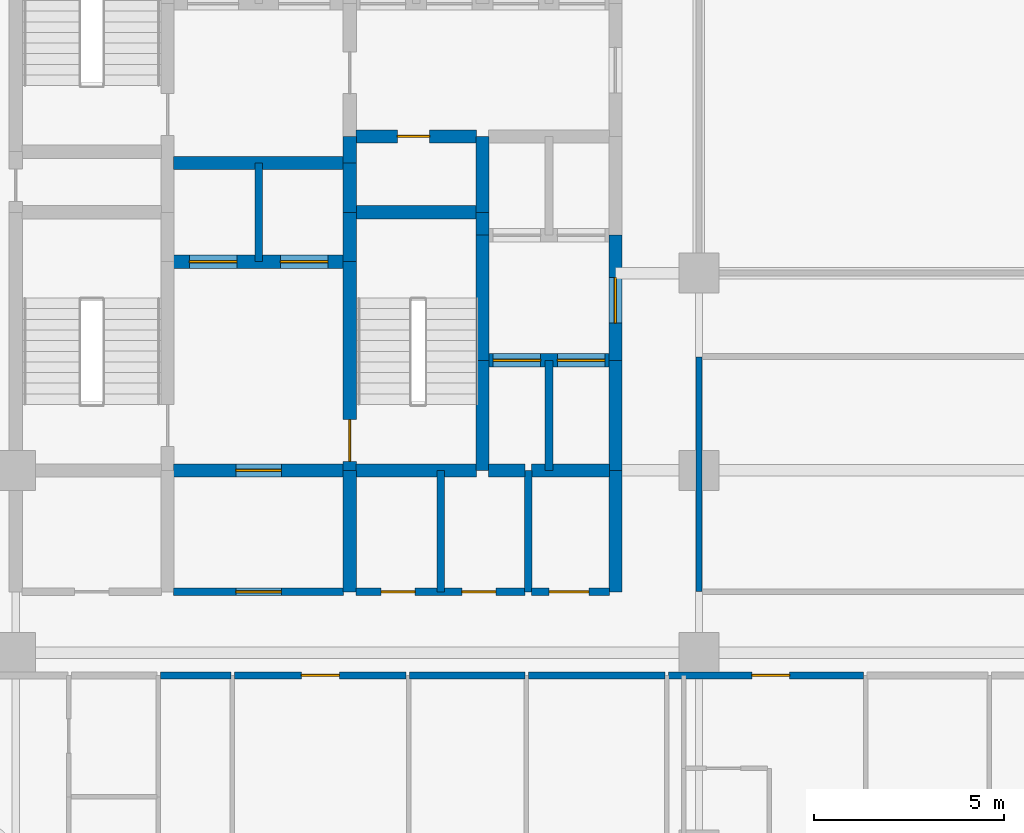
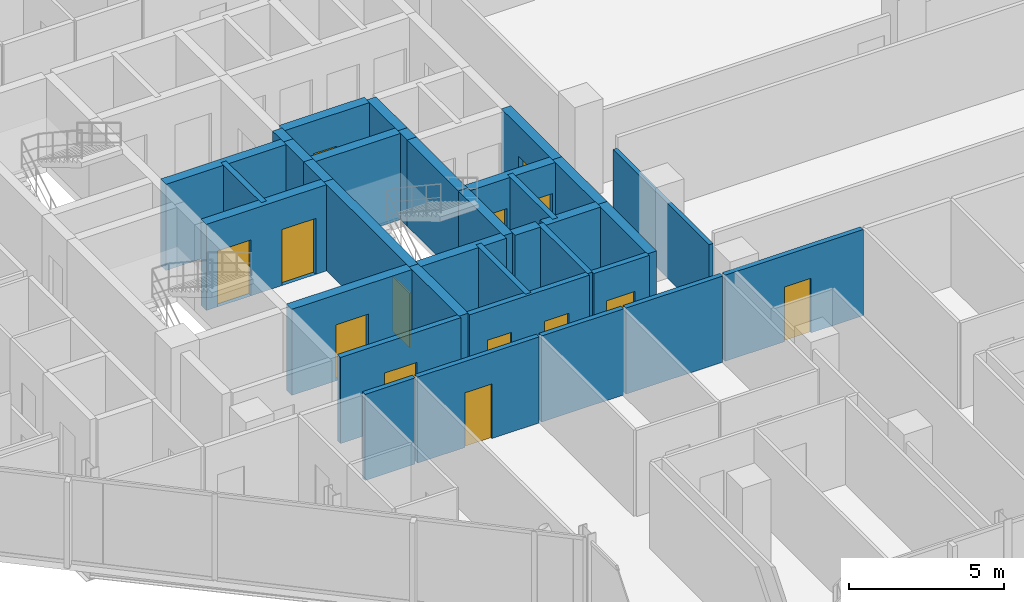
# One storey, part 24 of 29: 34 walls, 14 doors, 14 openings.
"""IFC4 building model written with IfcOpenShell, lengths in metres."""

from ifc_helpers import new_model, si_unit, direction, frame, frame_2d, origin, place, context, subcontext, project, spatial, rectangle, extrude, material, layer, layer_set, type_object, element, fill, save


model = new_model("IFC4")

# Units and contexts
model_context = context("Model", 3, precision=1e-05, world=origin(), true_north=direction((0.0, 1.0)))
body_context = subcontext(model_context, "Body", "Model", "MODEL_VIEW")
ifc_project = project(units=[si_unit("LENGTHUNIT", "METRE"), si_unit("AREAUNIT", "SQUARE_METRE"), si_unit("VOLUMEUNIT", "CUBIC_METRE"), si_unit("PLANEANGLEUNIT", "RADIAN"), si_unit("MASSUNIT", "GRAM", prefix="KILO")], contexts=[model_context])

# Site, building, storey
site_placement = place(None, origin())
site = spatial("IfcSite", under=ifc_project, at=site_placement, CompositionType="ELEMENT")
building_placement = place(site_placement, origin())
building = spatial("IfcBuilding", under=site, at=building_placement, Name="Keshet Zoharim Tower", CompositionType="ELEMENT")
storey_placement = place(building_placement, frame((0.0, 0.0, 102.0)))
storey = spatial("IfcBuildingStorey", under=building, at=storey_placement, Name="L24", CompositionType="ELEMENT", Elevation=102.0)

# Walls
ifc_material_1 = material(Name="Gypsum Plasterboard", Category="gypsum")
ifc_layer_1 = layer(ifc_material_1, 0.14990234375)
ifc_layer_set_1 = layer_set([ifc_layer_1], Name="Gypsum Plasterboard")
wall_type_1 = type_object("IfcWallType", Name="WL-CLIN-150", PredefinedType="STANDARD", material=ifc_layer_set_1)
wall_1_placement = place(storey_placement, frame((33.0, 19.510009765625, 0.0), z_axis=(0.0, 0.0, 1.0), x_axis=(0.0, 1.0, 0.0)))
element("IfcWall", 1, at=wall_1_placement, inside=storey, type_object=wall_type_1, Name="L24 Interior Wall 075", PredefinedType="STANDARD", context=body_context, shape_type="SweptSolid", body=[
    extrude(rectangle(XDim=6.179931640625, YDim=0.14990234375, at=frame_2d((3.08984375, 0.0))), origin(), (0.0, 0.0, 1.0), 2.93505859375),
])
ifc_material_2 = material(Name="Concrete C60/75", Category="concrete")
ifc_layer_2 = layer(ifc_material_2, 0.35009765625)
ifc_layer_set_2 = layer_set([ifc_layer_2], Name="Concrete C60/75")
wall_type_2 = type_object("IfcWallType", Name="WL-CORE-350", PredefinedType="SHEAR", material=ifc_layer_set_2)
wall_2_placement = place(storey_placement, frame((23.800048828125, 19.5, 0.0), z_axis=(0.0, 0.0, 1.0), x_axis=(0.0, 1.0, 0.0)))
element("IfcWall", 2, at=wall_2_placement, inside=storey, type_object=wall_type_2, Name="L24 Core Shear Wall 035", PredefinedType="SHEAR", context=body_context, shape_type="SweptSolid", body=[
    extrude(rectangle(XDim=3.199951171875, YDim=0.35009765625, at=frame_2d((1.60009765625, 0.0))), origin(), (0.0, 0.0, 1.0), 3.385009765625),
])

# Wall, opening, door
wall_3_placement = place(storey_placement, frame((23.800048828125, 22.699951171875, 0.0), z_axis=(0.0, 0.0, 1.0), x_axis=(0.0, 1.0, 0.0)))
wall_3 = element("IfcWall", 3, at=wall_3_placement, inside=storey, type_object=wall_type_2, Name="L24 Core Shear Wall 036", PredefinedType="SHEAR", context=body_context, shape_type="SweptSolid", body=[
    extrude(rectangle(XDim=5.5, YDim=0.35009765625, at=frame_2d((2.75, 0.0))), origin(), (0.0, 0.0, 1.0), 3.385009765625),
])
opening_1_placement = place(wall_3_placement, frame((0.235107421875, 0.0, 0.0)))
opening_1 = element("IfcOpeningElement", 4, at=opening_1_placement, cuts=wall_3, Name="Opening D-F611", PredefinedType="OPENING", context=body_context, shape_type="SweptSolid", body=[
    extrude(rectangle(XDim=1.10009765625, YDim=2.14990234375, at=frame_2d((0.550048828125, 1.074951171875))), frame((0.0, 0.18505859375, 0.0), z_axis=(0.0, -1.0, 0.0), x_axis=(1.0, 0.0, 0.0)), (0.0, 0.0, 1.0), 0.3701171875),
])
ifc_material_3 = material(Name="Hardwood Timber", Category="wood")
door_type_1 = type_object("IfcDoorType", Name="DR-FD60-110", OperationType="NOTDEFINED", PredefinedType="DOOR", material=ifc_material_3)
door_1_placement = place(opening_1_placement, frame((1.10009765625, 0.0, 0.0), z_axis=(0.0, 0.0, 1.0), x_axis=(-1.0, 0.0, 0.0)))
door_1 = element("IfcDoor", 5, at=door_1_placement, inside=storey, type_object=door_type_1, Name="L24 Exit Stair ST-03 Fire Door", OperationType="SINGLE_SWING_RIGHT", OverallHeight=2.14990234375, OverallWidth=1.10009765625, PredefinedType="DOOR", context=body_context, shape_type="SweptSolid", body=[
    extrude(rectangle(XDim=1.10009765625, YDim=2.14990234375, at=frame_2d((0.550048828125, 1.074951171875))), frame((0.0, 0.02490234375, 0.0), z_axis=(0.0, -1.0, 0.0), x_axis=(1.0, 0.0, 0.0)), (0.0, 0.0, 1.0), 0.050048828125),
])
fill(opening_1, door_1)

# Walls
for number, where, z_axis, x_axis, name in (
    (6, (23.800048828125, 28.199951171875, 0.0), (0.0, 0.0, 1.0), (0.0, 1.0, 0.0), "L24 Core Shear Wall 037"),
    (7, (23.800048828125, 29.5, 0.0), (0.0, 0.0, 1.0), (0.0, 1.0, 0.0), "L24 Core Shear Wall 038"),
):
    element("IfcWall", number, at=place(storey_placement, frame(where, z_axis=z_axis, x_axis=x_axis)), inside=storey, type_object=wall_type_2, Name=name, PredefinedType="SHEAR", context=body_context, shape_type="SweptSolid", body=[
        extrude(rectangle(XDim=1.300048828125, YDim=0.35009765625, at=frame_2d((0.64990234375, 0.0))), origin(), (0.0, 0.0, 1.0), 3.385009765625),
    ])
wall_4_placement = place(storey_placement, frame((23.800048828125, 30.800048828125, 0.0), z_axis=(0.0, 0.0, 1.0), x_axis=(0.0, 1.0, 0.0)))
element("IfcWall", 8, at=wall_4_placement, inside=storey, type_object=wall_type_2, Name="L24 Core Shear Wall 039", PredefinedType="SHEAR", context=body_context, shape_type="SweptSolid", body=[
    extrude(rectangle(XDim=0.699951171875, YDim=0.35009765625, at=frame_2d((0.35009765625, 0.0))), origin(), (0.0, 0.0, 1.0), 3.385009765625),
])
wall_5_placement = place(storey_placement, frame((27.300048828125, 22.699951171875, 0.0), z_axis=(0.0, 0.0, 1.0), x_axis=(0.0, 1.0, 0.0)))
element("IfcWall", 9, at=wall_5_placement, inside=storey, type_object=wall_type_2, Name="L24 Core Shear Wall 048", PredefinedType="SHEAR", context=body_context, shape_type="SweptSolid", body=[
    extrude(rectangle(XDim=2.900146484375, YDim=0.35009765625, at=frame_2d((1.4501953125, 0.0))), origin(), (0.0, 0.0, 1.0), 3.385009765625),
])
wall_6_placement = place(storey_placement, frame((27.300048828125, 25.60009765625, 0.0), z_axis=(0.0, 0.0, 1.0), x_axis=(0.0, 1.0, 0.0)))
element("IfcWall", 10, at=wall_6_placement, inside=storey, type_object=wall_type_2, Name="L24 Core Shear Wall 049", PredefinedType="SHEAR", context=body_context, shape_type="SweptSolid", body=[
    extrude(rectangle(XDim=3.2998046875, YDim=0.35009765625, at=frame_2d((1.64990234375, 0.0))), origin(), (0.0, 0.0, 1.0), 3.385009765625),
])
wall_7_placement = place(storey_placement, frame((27.300048828125, 28.89990234375, 0.0), z_axis=(0.0, 0.0, 1.0), x_axis=(0.0, 1.0, 0.0)))
element("IfcWall", 11, at=wall_7_placement, inside=storey, type_object=wall_type_2, Name="L24 Core Shear Wall 050", PredefinedType="SHEAR", context=body_context, shape_type="SweptSolid", body=[
    extrude(rectangle(XDim=0.60009765625, YDim=0.35009765625, at=frame_2d((0.300048828125, 0.0))), origin(), (0.0, 0.0, 1.0), 3.385009765625),
])
wall_8_placement = place(storey_placement, frame((27.300048828125, 29.5, 0.0), z_axis=(0.0, 0.0, 1.0), x_axis=(0.0, 1.0, 0.0)))
element("IfcWall", 12, at=wall_8_placement, inside=storey, type_object=wall_type_2, Name="L24 Core Shear Wall 051", PredefinedType="SHEAR", context=body_context, shape_type="SweptSolid", body=[
    extrude(rectangle(XDim=2.0, YDim=0.35009765625, at=frame_2d((1.0, 0.0))), origin(), (0.0, 0.0, 1.0), 3.385009765625),
])
wall_9_placement = place(storey_placement, frame((30.800048828125, 19.5, 0.0), z_axis=(0.0, 0.0, 1.0), x_axis=(0.0, 1.0, 0.0)))
element("IfcWall", 13, at=wall_9_placement, inside=storey, type_object=wall_type_2, Name="L24 Core Shear Wall 062", PredefinedType="SHEAR", context=body_context, shape_type="SweptSolid", body=[
    extrude(rectangle(XDim=3.199951171875, YDim=0.35009765625, at=frame_2d((1.60009765625, 0.0))), origin(), (0.0, 0.0, 1.0), 3.385009765625),
])
wall_10_placement = place(storey_placement, frame((30.800048828125, 22.699951171875, 0.0), z_axis=(0.0, 0.0, 1.0), x_axis=(0.0, 1.0, 0.0)))
element("IfcWall", 14, at=wall_10_placement, inside=storey, type_object=wall_type_2, Name="L24 Core Shear Wall 063", PredefinedType="SHEAR", context=body_context, shape_type="SweptSolid", body=[
    extrude(rectangle(XDim=2.900146484375, YDim=0.35009765625, at=frame_2d((1.4501953125, 0.0))), origin(), (0.0, 0.0, 1.0), 3.385009765625),
])

# Wall, opening, door
wall_11_placement = place(storey_placement, frame((30.800048828125, 25.60009765625, 0.0), z_axis=(0.0, 0.0, 1.0), x_axis=(0.0, 1.0, 0.0)))
wall_11 = element("IfcWall", 15, at=wall_11_placement, inside=storey, type_object=wall_type_2, Name="L24 Core Shear Wall 064", PredefinedType="SHEAR", context=body_context, shape_type="SweptSolid", body=[
    extrude(rectangle(XDim=3.2998046875, YDim=0.35009765625, at=frame_2d((1.64990234375, 0.0))), origin(), (0.0, 0.0, 1.0), 3.385009765625),
])
opening_2_placement = place(wall_11_placement, frame((0.97802734375, 0.0, 0.0)))
opening_2 = element("IfcOpeningElement", 16, at=opening_2_placement, cuts=wall_11, Name="Opening D-F612", PredefinedType="OPENING", context=body_context, shape_type="SweptSolid", body=[
    extrude(rectangle(XDim=1.199951171875, YDim=2.199951171875, at=frame_2d((0.60009765625, 1.10009765625))), frame((0.0, 0.18505859375, 0.0), z_axis=(0.0, -1.0, 0.0), x_axis=(1.0, 0.0, 0.0)), (0.0, 0.0, 1.0), 0.3701171875),
])
door_type_2 = type_object("IfcDoorType", Name="DR-FD60-120", OperationType="NOTDEFINED", PredefinedType="DOOR", material=ifc_material_3)
door_2_placement = place(opening_2_placement, origin())
door_2 = element("IfcDoor", 17, at=door_2_placement, inside=storey, type_object=door_type_2, Name="L24 East Lift Lobby Fire Door", OperationType="SINGLE_SWING_RIGHT", OverallHeight=2.199951171875, OverallWidth=1.199951171875, PredefinedType="DOOR", context=body_context, shape_type="SweptSolid", body=[
    extrude(rectangle(XDim=1.199951171875, YDim=2.199951171875, at=frame_2d((0.60009765625, 1.10009765625))), frame((0.0, 0.02490234375, 0.0), z_axis=(0.0, -1.0, 0.0), x_axis=(1.0, 0.0, 0.0)), (0.0, 0.0, 1.0), 0.050048828125),
])
fill(opening_2, door_2)

wall_12_placement = place(storey_placement, frame((19.159912109375, 22.699951171875, 0.0), z_axis=(0.0, 0.0, 1.0), x_axis=(1.0, 0.0, 0.0)))
wall_12 = element("IfcWall", 18, at=wall_12_placement, inside=storey, type_object=wall_type_2, Name="L24 Core Shear Wall 158", PredefinedType="SHEAR", context=body_context, shape_type="SweptSolid", body=[
    extrude(rectangle(XDim=4.47998046875, YDim=0.35009765625, at=frame_2d((2.239990234375, 0.0))), origin(), (0.0, 0.0, 1.0), 3.385009765625),
])
opening_3_placement = place(wall_12_placement, frame((1.639892578125, 0.0, 0.0)))
opening_3 = element("IfcOpeningElement", 19, at=opening_3_placement, cuts=wall_12, Name="Opening D-F612", PredefinedType="OPENING", context=body_context, shape_type="SweptSolid", body=[
    extrude(rectangle(XDim=1.199951171875, YDim=2.199951171875, at=frame_2d((0.60009765625, 1.10009765625))), frame((0.0, 0.18505859375, 0.0), z_axis=(0.0, -1.0, 0.0), x_axis=(1.0, 0.0, 0.0)), (0.0, 0.0, 1.0), 0.3701171875),
])
door_3_placement = place(opening_3_placement, origin())
door_3 = element("IfcDoor", 20, at=door_3_placement, inside=storey, type_object=door_type_2, Name="L24 South Core Lobby Fire Door", OperationType="SINGLE_SWING_LEFT", OverallHeight=2.199951171875, OverallWidth=1.199951171875, PredefinedType="DOOR", context=body_context, shape_type="SweptSolid", body=[
    extrude(rectangle(XDim=1.199951171875, YDim=2.199951171875, at=frame_2d((0.60009765625, 1.10009765625))), frame((0.0, 0.02490234375, 0.0), z_axis=(0.0, -1.0, 0.0), x_axis=(1.0, 0.0, 0.0)), (0.0, 0.0, 1.0), 0.050048828125),
])
fill(opening_3, door_3)

# Walls
wall_13_placement = place(storey_placement, frame((23.9599609375, 22.699951171875, 0.0), z_axis=(0.0, 0.0, 1.0), x_axis=(1.0, 0.0, 0.0)))
element("IfcWall", 21, at=wall_13_placement, inside=storey, type_object=wall_type_2, Name="L24 Core Shear Wall 159", PredefinedType="SHEAR", context=body_context, shape_type="SweptSolid", body=[
    extrude(rectangle(XDim=3.179931640625, YDim=0.35009765625, at=frame_2d((1.58984375, 0.0))), origin(), (0.0, 0.0, 1.0), 3.385009765625),
])
wall_14_placement = place(storey_placement, frame((27.4599609375, 22.699951171875, 0.0), z_axis=(0.0, 0.0, 1.0), x_axis=(1.0, 0.0, 0.0)))
element("IfcWall", 22, at=wall_14_placement, inside=storey, type_object=wall_type_2, Name="L24 Core Shear Wall 160", PredefinedType="SHEAR", context=body_context, shape_type="SweptSolid", body=[
    extrude(rectangle(XDim=0.955078125, YDim=0.35009765625, at=frame_2d((0.4775390625, 0.0))), origin(), (0.0, 0.0, 1.0), 3.385009765625),
])
wall_15_placement = place(storey_placement, frame((28.5849609375, 22.699951171875, 0.0), z_axis=(0.0, 0.0, 1.0), x_axis=(1.0, 0.0, 0.0)))
element("IfcWall", 23, at=wall_15_placement, inside=storey, type_object=wall_type_2, Name="L24 Core Shear Wall 161", PredefinedType="SHEAR", context=body_context, shape_type="SweptSolid", body=[
    extrude(rectangle(XDim=2.054931640625, YDim=0.35009765625, at=frame_2d((1.02734375, 0.0))), origin(), (0.0, 0.0, 1.0), 3.385009765625),
])

# Wall, openings, doors
wall_16_placement = place(storey_placement, frame((27.4599609375, 25.60009765625, 0.0), z_axis=(0.0, 0.0, 1.0), x_axis=(1.0, 0.0, 0.0)))
wall_16 = element("IfcWall", 24, at=wall_16_placement, inside=storey, type_object=wall_type_2, Name="L24 Core Shear Wall 164", PredefinedType="SHEAR", context=body_context, shape_type="SweptSolid", body=[
    extrude(rectangle(XDim=3.179931640625, YDim=0.35009765625, at=frame_2d((1.58984375, 0.0))), origin(), (0.0, 0.0, 1.0), 3.385009765625),
])
opening_4_placement = place(wall_16_placement, frame((0.1201171875, 0.0, 0.0)))
opening_4 = element("IfcOpeningElement", 25, at=opening_4_placement, cuts=wall_16, Name="Opening LD-01", PredefinedType="OPENING", context=body_context, shape_type="SweptSolid", body=[
    extrude(rectangle(XDim=1.25, YDim=2.199951171875, at=frame_2d((0.625, 1.10009765625))), frame((0.0, 0.18505859375, 0.0), z_axis=(0.0, -1.0, 0.0), x_axis=(1.0, 0.0, 0.0)), (0.0, 0.0, 1.0), 0.3701171875),
])
opening_5_placement = place(wall_16_placement, frame((1.81005859375, 0.0, 0.0)))
opening_5 = element("IfcOpeningElement", 26, at=opening_5_placement, cuts=wall_16, Name="Opening LD-01", PredefinedType="OPENING", context=body_context, shape_type="SweptSolid", body=[
    extrude(rectangle(XDim=1.25, YDim=2.199951171875, at=frame_2d((0.625, 1.10009765625))), frame((0.0, 0.18505859375, 0.0), z_axis=(0.0, -1.0, 0.0), x_axis=(1.0, 0.0, 0.0)), (0.0, 0.0, 1.0), 0.3701171875),
])
ifc_material_4 = material(Name="Steel S355", Category="steel")
door_type_3 = type_object("IfcDoorType", Name="DR-LD01-125", OperationType="DOUBLE_DOOR_SLIDING", PredefinedType="DOOR", material=ifc_material_4)
door_4_placement = place(opening_4_placement, origin())
door_4 = element("IfcDoor", 27, at=door_4_placement, inside=storey, type_object=door_type_3, Name="L24 Passenger Lift Landing Door LF-07", OperationType="DOUBLE_DOOR_SLIDING", OverallHeight=2.199951171875, OverallWidth=1.25, PredefinedType="DOOR", context=body_context, shape_type="SweptSolid", body=[
    extrude(rectangle(XDim=1.25, YDim=2.199951171875, at=frame_2d((0.625, 1.10009765625))), frame((0.0, 0.02490234375, 0.0), z_axis=(0.0, -1.0, 0.0), x_axis=(1.0, 0.0, 0.0)), (0.0, 0.0, 1.0), 0.050048828125),
])
fill(opening_4, door_4)
door_5_placement = place(opening_5_placement, origin())
door_5 = element("IfcDoor", 28, at=door_5_placement, inside=storey, type_object=door_type_3, Name="L24 Passenger Lift Landing Door LF-08", OperationType="DOUBLE_DOOR_SLIDING", OverallHeight=2.199951171875, OverallWidth=1.25, PredefinedType="DOOR", context=body_context, shape_type="SweptSolid", body=[
    extrude(rectangle(XDim=1.25, YDim=2.199951171875, at=frame_2d((0.625, 1.10009765625))), frame((0.0, 0.02490234375, 0.0), z_axis=(0.0, -1.0, 0.0), x_axis=(1.0, 0.0, 0.0)), (0.0, 0.0, 1.0), 0.050048828125),
])
fill(opening_5, door_5)

wall_17_placement = place(storey_placement, frame((19.159912109375, 28.199951171875, 0.0), z_axis=(0.0, 0.0, 1.0), x_axis=(1.0, 0.0, 0.0)))
wall_17 = element("IfcWall", 29, at=wall_17_placement, inside=storey, type_object=wall_type_2, Name="L24 Core Shear Wall 169", PredefinedType="SHEAR", context=body_context, shape_type="SweptSolid", body=[
    extrude(rectangle(XDim=4.47998046875, YDim=0.35009765625, at=frame_2d((2.239990234375, 0.0))), origin(), (0.0, 0.0, 1.0), 3.385009765625),
])
opening_6_placement = place(wall_17_placement, frame((0.4150390625, 0.0, 0.0)))
opening_6 = element("IfcOpeningElement", 30, at=opening_6_placement, cuts=wall_17, Name="Opening LD-01", PredefinedType="OPENING", context=body_context, shape_type="SweptSolid", body=[
    extrude(rectangle(XDim=1.25, YDim=2.199951171875, at=frame_2d((0.625, 1.10009765625))), frame((0.0, 0.18505859375, 0.0), z_axis=(0.0, -1.0, 0.0), x_axis=(1.0, 0.0, 0.0)), (0.0, 0.0, 1.0), 0.3701171875),
])
opening_7_placement = place(wall_17_placement, frame((2.81494140625, 0.0, 0.0)))
opening_7 = element("IfcOpeningElement", 31, at=opening_7_placement, cuts=wall_17, Name="Opening LD-01", PredefinedType="OPENING", context=body_context, shape_type="SweptSolid", body=[
    extrude(rectangle(XDim=1.25, YDim=2.199951171875, at=frame_2d((0.625, 1.10009765625))), frame((0.0, 0.18505859375, 0.0), z_axis=(0.0, -1.0, 0.0), x_axis=(1.0, 0.0, 0.0)), (0.0, 0.0, 1.0), 0.3701171875),
])
door_6_placement = place(opening_6_placement, origin())
door_6 = element("IfcDoor", 32, at=door_6_placement, inside=storey, type_object=door_type_3, Name="L24 Passenger Lift Landing Door LF-09", OperationType="DOUBLE_DOOR_SLIDING", OverallHeight=2.199951171875, OverallWidth=1.25, PredefinedType="DOOR", context=body_context, shape_type="SweptSolid", body=[
    extrude(rectangle(XDim=1.25, YDim=2.199951171875, at=frame_2d((0.625, 1.10009765625))), frame((0.0, 0.02490234375, 0.0), z_axis=(0.0, -1.0, 0.0), x_axis=(1.0, 0.0, 0.0)), (0.0, 0.0, 1.0), 0.050048828125),
])
fill(opening_6, door_6)
door_7_placement = place(opening_7_placement, origin())
door_7 = element("IfcDoor", 33, at=door_7_placement, inside=storey, type_object=door_type_3, Name="L24 Passenger Lift Landing Door LF-10", OperationType="DOUBLE_DOOR_SLIDING", OverallHeight=2.199951171875, OverallWidth=1.25, PredefinedType="DOOR", context=body_context, shape_type="SweptSolid", body=[
    extrude(rectangle(XDim=1.25, YDim=2.199951171875, at=frame_2d((0.625, 1.10009765625))), frame((0.0, 0.02490234375, 0.0), z_axis=(0.0, -1.0, 0.0), x_axis=(1.0, 0.0, 0.0)), (0.0, 0.0, 1.0), 0.050048828125),
])
fill(opening_7, door_7)

# Walls
wall_18_placement = place(storey_placement, frame((23.9599609375, 29.5, 0.0), z_axis=(0.0, 0.0, 1.0), x_axis=(1.0, 0.0, 0.0)))
element("IfcWall", 34, at=wall_18_placement, inside=storey, type_object=wall_type_2, Name="L24 Core Shear Wall 176", PredefinedType="SHEAR", context=body_context, shape_type="SweptSolid", body=[
    extrude(rectangle(XDim=3.179931640625, YDim=0.35009765625, at=frame_2d((1.58984375, 0.0))), origin(), (0.0, 0.0, 1.0), 3.385009765625),
])
wall_19_placement = place(storey_placement, frame((19.159912109375, 30.800048828125, 0.0), z_axis=(0.0, 0.0, 1.0), x_axis=(1.0, 0.0, 0.0)))
element("IfcWall", 35, at=wall_19_placement, inside=storey, type_object=wall_type_2, Name="L24 Core Shear Wall 177", PredefinedType="SHEAR", context=body_context, shape_type="SweptSolid", body=[
    extrude(rectangle(XDim=4.47998046875, YDim=0.35009765625, at=frame_2d((2.239990234375, 0.0))), origin(), (0.0, 0.0, 1.0), 3.385009765625),
])

# Wall, opening, door
wall_20_placement = place(storey_placement, frame((23.9599609375, 31.5, 0.0), z_axis=(0.0, 0.0, 1.0), x_axis=(1.0, 0.0, 0.0)))
wall_20 = element("IfcWall", 36, at=wall_20_placement, inside=storey, type_object=wall_type_2, Name="L24 Core Shear Wall 181", PredefinedType="SHEAR", context=body_context, shape_type="SweptSolid", body=[
    extrude(rectangle(XDim=3.179931640625, YDim=0.35009765625, at=frame_2d((1.58984375, 0.0))), origin(), (0.0, 0.0, 1.0), 3.385009765625),
])
opening_8_placement = place(wall_20_placement, frame((1.093994140625, 0.0, 0.0)))
opening_8 = element("IfcOpeningElement", 37, at=opening_8_placement, cuts=wall_20, Name="Opening D-RS85", PredefinedType="OPENING", context=body_context, shape_type="SweptSolid", body=[
    extrude(rectangle(XDim=0.85009765625, YDim=2.10009765625, at=frame_2d((0.425048828125, 1.050048828125))), frame((0.0, 0.18505859375, 0.0), z_axis=(0.0, -1.0, 0.0), x_axis=(1.0, 0.0, 0.0)), (0.0, 0.0, 1.0), 0.3701171875),
])
door_type_4 = type_object("IfcDoorType", Name="DR-RIS-085", OperationType="NOTDEFINED", PredefinedType="DOOR", material=ifc_material_3)
door_8_placement = place(opening_8_placement, origin())
door_8 = element("IfcDoor", 38, at=door_8_placement, inside=storey, type_object=door_type_4, Name="L24 Telecom Riser Access Cupboard Door", OperationType="SINGLE_SWING_LEFT", OverallHeight=2.10009765625, OverallWidth=0.85009765625, PredefinedType="DOOR", context=body_context, shape_type="SweptSolid", body=[
    extrude(rectangle(XDim=0.85009765625, YDim=2.10009765625, at=frame_2d((0.425048828125, 1.050048828125))), frame((0.0, 0.02490234375, 0.0), z_axis=(0.0, -1.0, 0.0), x_axis=(1.0, 0.0, 0.0)), (0.0, 0.0, 1.0), 0.050048828125),
])
fill(opening_8, door_8)

# Wall
ifc_layer_3 = layer(ifc_material_1, 0.179931640625)
ifc_layer_set_3 = layer_set([ifc_layer_3], Name="Gypsum Plasterboard")
wall_type_3 = type_object("IfcWallType", Name="WL-CORR-180", PredefinedType="STANDARD", material=ifc_layer_set_3)
wall_21_placement = place(storey_placement, frame((18.81494140625, 17.300048828125, 0.0), z_axis=(0.0, 0.0, 1.0), x_axis=(1.0, 0.0, 0.0)))
element("IfcWall", 39, at=wall_21_placement, inside=storey, type_object=wall_type_3, Name="L24 Interior Wall 137", PredefinedType="STANDARD", context=body_context, shape_type="SweptSolid", body=[
    extrude(rectangle(XDim=1.860107421875, YDim=0.179931640625, at=frame_2d((0.93017578125, 0.0))), origin(), (0.0, 0.0, 1.0), 3.385009765625),
])

# Wall, opening, door
wall_22_placement = place(storey_placement, frame((20.764892578125, 17.300048828125, 0.0), z_axis=(0.0, 0.0, 1.0), x_axis=(1.0, 0.0, 0.0)))
wall_22 = element("IfcWall", 40, at=wall_22_placement, inside=storey, type_object=wall_type_3, Name="L24 Interior Wall 138", PredefinedType="STANDARD", context=body_context, shape_type="SweptSolid", body=[
    extrude(rectangle(XDim=4.52001953125, YDim=0.179931640625, at=frame_2d((2.260009765625, 0.0))), origin(), (0.0, 0.0, 1.0), 3.385009765625),
])
opening_9_placement = place(wall_22_placement, frame((1.760009765625, 0.0, 0.0)))
opening_9 = element("IfcOpeningElement", 41, at=opening_9_placement, cuts=wall_22, Name="Opening D-F310", PredefinedType="OPENING", context=body_context, shape_type="SweptSolid", body=[
    extrude(rectangle(XDim=1.0, YDim=2.14990234375, at=frame_2d((0.5, 1.074951171875))), frame((0.0, 0.10009765625, 0.0), z_axis=(0.0, -1.0, 0.0), x_axis=(1.0, 0.0, 0.0)), (0.0, 0.0, 1.0), 0.199951171875),
])
door_type_5 = type_object("IfcDoorType", Name="DR-FD30-100", OperationType="NOTDEFINED", PredefinedType="DOOR", material=ifc_material_3)
door_9_placement = place(opening_9_placement, origin())
door_9 = element("IfcDoor", 42, at=door_9_placement, inside=storey, type_object=door_type_5, Name="Apartment 2402 Entrance Door", OperationType="SINGLE_SWING_LEFT", OverallHeight=2.14990234375, OverallWidth=1.0, PredefinedType="DOOR", context=body_context, shape_type="SweptSolid", body=[
    extrude(rectangle(XDim=1.0, YDim=2.14990234375, at=frame_2d((0.5, 1.074951171875))), frame((0.0, 0.02490234375, 0.0), z_axis=(0.0, -1.0, 0.0), x_axis=(1.0, 0.0, 0.0)), (0.0, 0.0, 1.0), 0.050048828125),
])
fill(opening_9, door_9)

# Walls
wall_23_placement = place(storey_placement, frame((25.375, 17.300048828125, 0.0), z_axis=(0.0, 0.0, 1.0), x_axis=(1.0, 0.0, 0.0)))
element("IfcWall", 43, at=wall_23_placement, inside=storey, type_object=wall_type_3, Name="L24 Interior Wall 139", PredefinedType="STANDARD", context=body_context, shape_type="SweptSolid", body=[
    extrude(rectangle(XDim=3.047119140625, YDim=0.179931640625, at=frame_2d((1.5234375, 0.0))), origin(), (0.0, 0.0, 1.0), 3.385009765625),
])
wall_24_placement = place(storey_placement, frame((28.511962890625, 17.300048828125, 0.0), z_axis=(0.0, 0.0, 1.0), x_axis=(1.0, 0.0, 0.0)))
element("IfcWall", 44, at=wall_24_placement, inside=storey, type_object=wall_type_3, Name="L24 Interior Wall 140", PredefinedType="STANDARD", context=body_context, shape_type="SweptSolid", body=[
    extrude(rectangle(XDim=3.593017578125, YDim=0.179931640625, at=frame_2d((1.79638671875, 0.0))), origin(), (0.0, 0.0, 1.0), 3.385009765625),
])

# Wall, opening, door
wall_25_placement = place(storey_placement, frame((32.195068359375, 17.300048828125, 0.0), z_axis=(0.0, 0.0, 1.0), x_axis=(1.0, 0.0, 0.0)))
wall_25 = element("IfcWall", 45, at=wall_25_placement, inside=storey, type_object=wall_type_3, Name="L24 Interior Wall 141", PredefinedType="STANDARD", context=body_context, shape_type="SweptSolid", body=[
    extrude(rectangle(XDim=5.139892578125, YDim=0.179931640625, at=frame_2d((2.56982421875, 0.0))), origin(), (0.0, 0.0, 1.0), 3.385009765625),
])
opening_10_placement = place(wall_25_placement, frame((2.197998046875, 0.0, 0.0)))
opening_10 = element("IfcOpeningElement", 46, at=opening_10_placement, cuts=wall_25, Name="Opening D-F310", PredefinedType="OPENING", context=body_context, shape_type="SweptSolid", body=[
    extrude(rectangle(XDim=1.0, YDim=2.14990234375, at=frame_2d((0.5, 1.074951171875))), frame((0.0, 0.10009765625, 0.0), z_axis=(0.0, -1.0, 0.0), x_axis=(1.0, 0.0, 0.0)), (0.0, 0.0, 1.0), 0.199951171875),
])
door_10_placement = place(opening_10_placement, origin())
door_10 = element("IfcDoor", 47, at=door_10_placement, inside=storey, type_object=door_type_5, Name="Apartment 2403 Entrance Door", OperationType="SINGLE_SWING_RIGHT", OverallHeight=2.14990234375, OverallWidth=1.0, PredefinedType="DOOR", context=body_context, shape_type="SweptSolid", body=[
    extrude(rectangle(XDim=1.0, YDim=2.14990234375, at=frame_2d((0.5, 1.074951171875))), frame((0.0, 0.02490234375, 0.0), z_axis=(0.0, -1.0, 0.0), x_axis=(1.0, 0.0, 0.0)), (0.0, 0.0, 1.0), 0.050048828125),
])
fill(opening_10, door_10)

# Walls
ifc_material_5 = material(Name="Concrete C50/60", Category="concrete")
ifc_layer_4 = layer(ifc_material_5, 0.199951171875)
ifc_layer_set_4 = layer_set([ifc_layer_4], Name="Concrete C50/60")
wall_type_4 = type_object("IfcWallType", Name="WL-FIRE-200", PredefinedType="STANDARD", material=ifc_layer_set_4)
wall_26_placement = place(storey_placement, frame((21.39990234375, 28.199951171875, 0.0), z_axis=(0.0, 0.0, 1.0), x_axis=(0.0, 1.0, 0.0)))
element("IfcWall", 48, at=wall_26_placement, inside=storey, type_object=wall_type_4, Name="L24 Interior Wall 031", PredefinedType="STANDARD", context=body_context, shape_type="SweptSolid", body=[
    extrude(rectangle(XDim=2.60009765625, YDim=0.199951171875, at=frame_2d((1.300048828125, 0.0))), origin(), (0.0, 0.0, 1.0), 3.385009765625),
])
for number, where, z_axis, x_axis, name in (
    (49, (26.199951171875, 19.5, 0.0), (0.0, 0.0, 1.0), (0.0, 1.0, 0.0), "L24 Interior Wall 047"),
    (50, (28.5, 19.5, 0.0), (0.0, 0.0, 1.0), (0.0, 1.0, 0.0), "L24 Interior Wall 054"),
):
    element("IfcWall", number, at=place(storey_placement, frame(where, z_axis=z_axis, x_axis=x_axis)), inside=storey, type_object=wall_type_4, Name=name, PredefinedType="STANDARD", context=body_context, shape_type="SweptSolid", body=[
        extrude(rectangle(XDim=3.199951171875, YDim=0.199951171875, at=frame_2d((1.60009765625, 0.0))), origin(), (0.0, 0.0, 1.0), 3.385009765625),
    ])
wall_27_placement = place(storey_placement, frame((29.050048828125, 22.699951171875, 0.0), z_axis=(0.0, 0.0, 1.0), x_axis=(0.0, 1.0, 0.0)))
element("IfcWall", 51, at=wall_27_placement, inside=storey, type_object=wall_type_4, Name="L24 Interior Wall 059", PredefinedType="STANDARD", context=body_context, shape_type="SweptSolid", body=[
    extrude(rectangle(XDim=2.900146484375, YDim=0.199951171875, at=frame_2d((1.4501953125, 0.0))), origin(), (0.0, 0.0, 1.0), 3.385009765625),
])

# Wall, opening, door
wall_28_placement = place(storey_placement, frame((19.159912109375, 19.5, 0.0), z_axis=(0.0, 0.0, 1.0), x_axis=(1.0, 0.0, 0.0)))
wall_28 = element("IfcWall", 52, at=wall_28_placement, inside=storey, type_object=wall_type_4, Name="L24 Interior Wall 150", PredefinedType="STANDARD", context=body_context, shape_type="SweptSolid", body=[
    extrude(rectangle(XDim=4.47998046875, YDim=0.199951171875, at=frame_2d((2.239990234375, 0.0))), origin(), (0.0, 0.0, 1.0), 3.385009765625),
])
opening_11_placement = place(wall_28_placement, frame((1.639892578125, 0.0, 0.0)))
opening_11 = element("IfcOpeningElement", 53, at=opening_11_placement, cuts=wall_28, Name="Opening D-F612", PredefinedType="OPENING", context=body_context, shape_type="SweptSolid", body=[
    extrude(rectangle(XDim=1.199951171875, YDim=2.199951171875, at=frame_2d((0.60009765625, 1.10009765625))), frame((0.0, 0.10986328125, 0.0), z_axis=(0.0, -1.0, 0.0), x_axis=(1.0, 0.0, 0.0)), (0.0, 0.0, 1.0), 0.219970703125),
])
door_11_placement = place(opening_11_placement, origin())
door_11 = element("IfcDoor", 54, at=door_11_placement, inside=storey, type_object=door_type_2, Name="L24 South Vestibule Corridor Door", OperationType="SINGLE_SWING_LEFT", OverallHeight=2.199951171875, OverallWidth=1.199951171875, PredefinedType="DOOR", context=body_context, shape_type="SweptSolid", body=[
    extrude(rectangle(XDim=1.199951171875, YDim=2.199951171875, at=frame_2d((0.60009765625, 1.10009765625))), frame((0.0, 0.02490234375, 0.0), z_axis=(0.0, -1.0, 0.0), x_axis=(1.0, 0.0, 0.0)), (0.0, 0.0, 1.0), 0.050048828125),
])
fill(opening_11, door_11)

# Wall, openings, doors
wall_29_placement = place(storey_placement, frame((23.9599609375, 19.5, 0.0), z_axis=(0.0, 0.0, 1.0), x_axis=(1.0, 0.0, 0.0)))
wall_29 = element("IfcWall", 55, at=wall_29_placement, inside=storey, type_object=wall_type_4, Name="L24 Interior Wall 151", PredefinedType="STANDARD", context=body_context, shape_type="SweptSolid", body=[
    extrude(rectangle(XDim=4.455078125, YDim=0.199951171875, at=frame_2d((2.2275390625, 0.0))), origin(), (0.0, 0.0, 1.0), 3.385009765625),
])
opening_12_placement = place(wall_29_placement, frame((0.6650390625, 0.0, 0.0)))
opening_12 = element("IfcOpeningElement", 56, at=opening_12_placement, cuts=wall_29, Name="Opening D-F690", PredefinedType="OPENING", context=body_context, shape_type="SweptSolid", body=[
    extrude(rectangle(XDim=0.89990234375, YDim=2.14990234375, at=frame_2d((0.449951171875, 1.074951171875))), frame((0.0, 0.10986328125, 0.0), z_axis=(0.0, -1.0, 0.0), x_axis=(1.0, 0.0, 0.0)), (0.0, 0.0, 1.0), 0.219970703125),
])
opening_13_placement = place(wall_29_placement, frame((2.791015625, 0.0, 0.0)))
opening_13 = element("IfcOpeningElement", 57, at=opening_13_placement, cuts=wall_29, Name="Opening D-F690", PredefinedType="OPENING", context=body_context, shape_type="SweptSolid", body=[
    extrude(rectangle(XDim=0.89990234375, YDim=2.14990234375, at=frame_2d((0.449951171875, 1.074951171875))), frame((0.0, 0.10986328125, 0.0), z_axis=(0.0, -1.0, 0.0), x_axis=(1.0, 0.0, 0.0)), (0.0, 0.0, 1.0), 0.219970703125),
])
door_type_6 = type_object("IfcDoorType", Name="DR-FD60-090", OperationType="NOTDEFINED", PredefinedType="DOOR", material=ifc_material_3)
door_12_placement = place(opening_12_placement, origin())
door_12 = element("IfcDoor", 58, at=door_12_placement, inside=storey, type_object=door_type_6, Name="L24 Switchgear Room Door", OperationType="SINGLE_SWING_RIGHT", OverallHeight=2.14990234375, OverallWidth=0.89990234375, PredefinedType="DOOR", context=body_context, shape_type="SweptSolid", body=[
    extrude(rectangle(XDim=0.89990234375, YDim=2.14990234375, at=frame_2d((0.449951171875, 1.074951171875))), frame((0.0, 0.02490234375, 0.0), z_axis=(0.0, -1.0, 0.0), x_axis=(1.0, 0.0, 0.0)), (0.0, 0.0, 1.0), 0.050048828125),
])
fill(opening_12, door_12)
door_13_placement = place(opening_13_placement, origin())
door_13 = element("IfcDoor", 59, at=door_13_placement, inside=storey, type_object=door_type_6, Name="L24 Telecom Room Door", OperationType="SINGLE_SWING_LEFT", OverallHeight=2.14990234375, OverallWidth=0.89990234375, PredefinedType="DOOR", context=body_context, shape_type="SweptSolid", body=[
    extrude(rectangle(XDim=0.89990234375, YDim=2.14990234375, at=frame_2d((0.449951171875, 1.074951171875))), frame((0.0, 0.02490234375, 0.0), z_axis=(0.0, -1.0, 0.0), x_axis=(1.0, 0.0, 0.0)), (0.0, 0.0, 1.0), 0.050048828125),
])
fill(opening_13, door_13)

# Wall, opening, door
wall_30_placement = place(storey_placement, frame((28.5849609375, 19.5, 0.0), z_axis=(0.0, 0.0, 1.0), x_axis=(1.0, 0.0, 0.0)))
wall_30 = element("IfcWall", 60, at=wall_30_placement, inside=storey, type_object=wall_type_4, Name="L24 Interior Wall 152", PredefinedType="STANDARD", context=body_context, shape_type="SweptSolid", body=[
    extrude(rectangle(XDim=2.054931640625, YDim=0.199951171875, at=frame_2d((1.02734375, 0.0))), origin(), (0.0, 0.0, 1.0), 3.385009765625),
])
opening_14_placement = place(wall_30_placement, frame((0.466064453125, 0.0, 0.0)))
opening_14 = element("IfcOpeningElement", 61, at=opening_14_placement, cuts=wall_30, Name="Opening D-AC10", PredefinedType="OPENING", context=body_context, shape_type="SweptSolid", body=[
    extrude(rectangle(XDim=1.050048828125, YDim=2.14990234375, at=frame_2d((0.52490234375, 1.074951171875))), frame((0.0, 0.10986328125, 0.0), z_axis=(0.0, -1.0, 0.0), x_axis=(1.0, 0.0, 0.0)), (0.0, 0.0, 1.0), 0.219970703125),
])
door_type_7 = type_object("IfcDoorType", Name="DR-ACC-105", OperationType="NOTDEFINED", PredefinedType="DOOR", material=ifc_material_3)
door_14_placement = place(opening_14_placement, origin())
door_14 = element("IfcDoor", 62, at=door_14_placement, inside=storey, type_object=door_type_7, Name="L24 Accessible WC Door", OperationType="SINGLE_SWING_RIGHT", OverallHeight=2.14990234375, OverallWidth=1.050048828125, PredefinedType="DOOR", context=body_context, shape_type="SweptSolid", body=[
    extrude(rectangle(XDim=1.050048828125, YDim=2.14990234375, at=frame_2d((0.52490234375, 1.074951171875))), frame((0.0, 0.02490234375, 0.0), z_axis=(0.0, -1.0, 0.0), x_axis=(1.0, 0.0, 0.0)), (0.0, 0.0, 1.0), 0.050048828125),
])
fill(opening_14, door_14)

save(model, "model.ifc")
